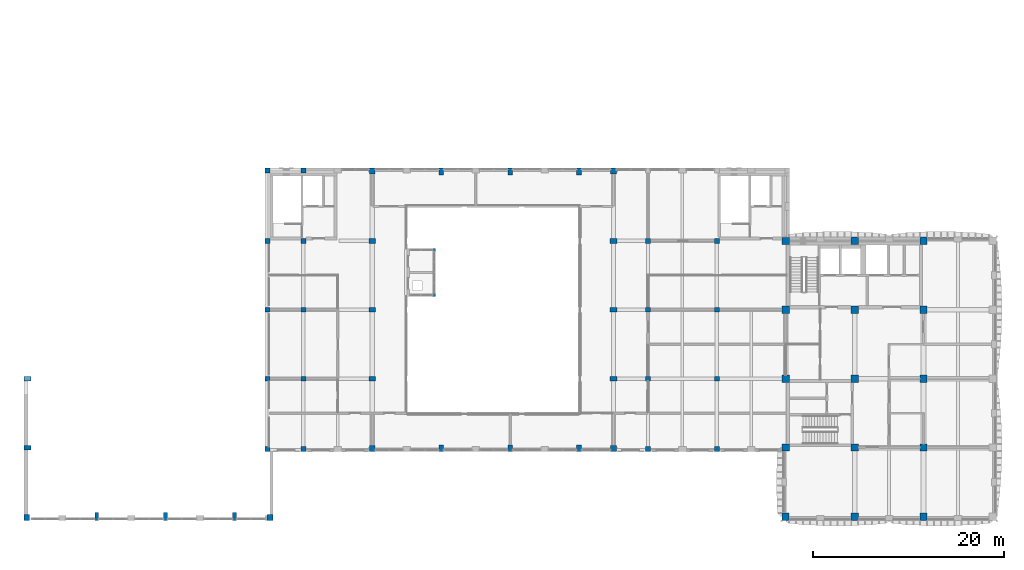
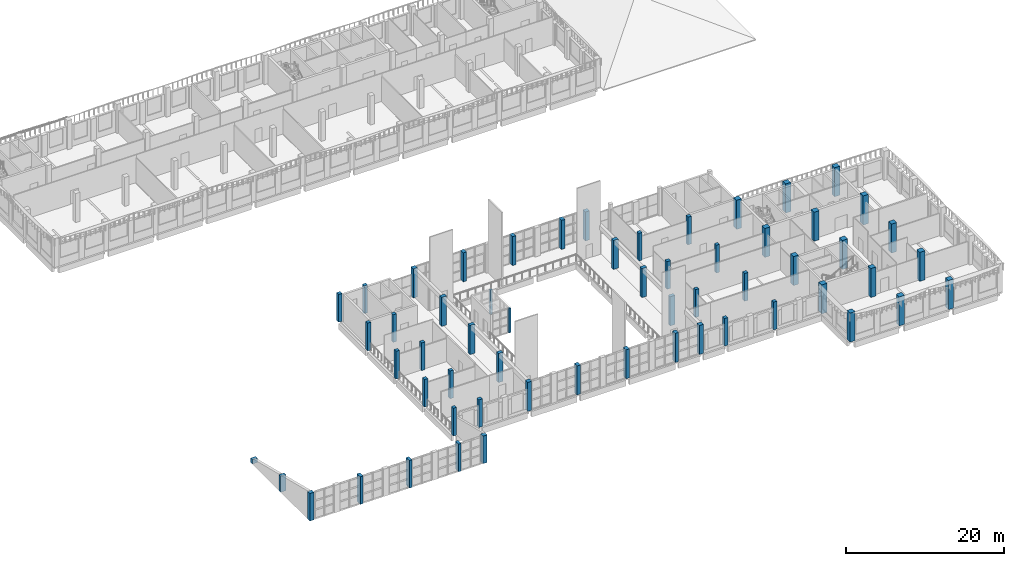
# One storey, part 1 of 54: 58 columns.
"""IFC4 building model written with IfcOpenShell, lengths in metres."""

from ifc_helpers import new_model, si_unit, direction, frame, origin, origin_2d, place, context, subcontext, project, spatial, rectangle, extrude, material, material_profile, profile_set, type_object, element, save


model = new_model("IFC4")

# Units and contexts
model_context = context("Model", 3, precision=1e-05, world=origin(), true_north=direction((0.0, 1.0)))
body_context = subcontext(model_context, "Body", "Model", "MODEL_VIEW")
ifc_project = project(units=[si_unit("LENGTHUNIT", "METRE"), si_unit("AREAUNIT", "SQUARE_METRE"), si_unit("VOLUMEUNIT", "CUBIC_METRE"), si_unit("PLANEANGLEUNIT", "RADIAN"), si_unit("MASSUNIT", "GRAM", prefix="KILO")], contexts=[model_context])

# Site, building, storey
site_placement = place(None, origin())
site = spatial("IfcSite", under=ifc_project, at=site_placement, CompositionType="ELEMENT")
building_placement = place(site_placement, origin())
building = spatial("IfcBuilding", under=site, at=building_placement, Name="Ussher Court Research Institute", CompositionType="ELEMENT")
storey_placement = place(building_placement, frame((0.0, 0.0, 14.39990234375)))
storey = spatial("IfcBuildingStorey", under=building, at=storey_placement, Name="L03", CompositionType="ELEMENT", Elevation=14.39990234375)

# Columns
ifc_material_1 = material(Name="Concrete C35/45", Category="concrete")
ifc_material_profile_1 = material_profile(ifc_material_1, rectangle(XDim=0.300048828125, YDim=0.300048828125, at=origin_2d()), Name="RC 300x300")
ifc_profile_set_1 = profile_set([ifc_material_profile_1], Name="Concrete C35/45")
column_type_1 = type_object("IfcColumnType", Name="Lift shaft corner column 300x300 RC", PredefinedType="COLUMN", material=ifc_profile_set_1)
for number, where, z_axis, x_axis, name in (
    (1, (45.449951171875, 27.14990234375, 0.0), (0.0, 0.0, 1.0), (1.0, 0.0, 0.0), "Lift shaft column atrium L03"),
    (2, (45.449951171875, 31.85009765625, 0.0), (0.0, 0.0, 1.0), (1.0, 0.0, 0.0), "Lift shaft column atrium L03"),
):
    element("IfcColumn", number, at=place(storey_placement, frame(where, z_axis=z_axis, x_axis=x_axis)), inside=storey, type_object=column_type_1, Name=name, PredefinedType="COLUMN", context=body_context, shape_type="SweptSolid", body=[
        extrude(rectangle(XDim=0.300048828125, YDim=0.300048828125, at=origin_2d()), origin(), (0.0, 0.0, 1.0), 3.800048828125),
    ])
ifc_material_2 = material(Name="Concrete C35/45", Category="concrete")
ifc_material_profile_2 = material_profile(ifc_material_2, rectangle(XDim=0.39990234375, YDim=0.800048828125, at=origin_2d()), Name="RC 400x800")
ifc_profile_set_2 = profile_set([ifc_material_profile_2], Name="Concrete C35/45")
column_type_2 = type_object("IfcColumnType", Name="RC 400x800 column", PredefinedType="COLUMN", material=ifc_profile_set_2)
for number, where, z_axis, x_axis, name in (
    (3, (10.199951171875, 4.0, 0.0), (0.0, 0.0, 1.0), (1.0, 0.0, 0.0), "CF1 V1 L03-01"),
    (4, (17.39990234375, 4.0, 0.0), (0.0, 0.0, 1.0), (1.0, 0.0, 0.0), "CF1 V1 L03-02"),
    (5, (24.60009765625, 4.0, 0.0), (0.0, 0.0, 1.0), (1.0, 0.0, 0.0), "CF1 V1 L03-03"),
):
    element("IfcColumn", number, at=place(storey_placement, frame(where, z_axis=z_axis, x_axis=x_axis)), inside=storey, type_object=column_type_2, Name=name, PredefinedType="COLUMN", context=body_context, shape_type="SweptSolid", body=[
        extrude(rectangle(XDim=0.39990234375, YDim=0.800048828125, at=origin_2d()), origin(), (0.0, 0.0, 1.0), 4.2802734375),
    ])
ifc_material_3 = material(Name="Concrete C35/45", Category="concrete")
ifc_material_profile_3 = material_profile(ifc_material_3, rectangle(XDim=0.5, YDim=0.5, at=origin_2d()), Name="RC 500x500")
ifc_profile_set_3 = profile_set([ifc_material_profile_3], Name="Concrete C35/45")
column_type_3 = type_object("IfcColumnType", Name="RC 500x500 column", PredefinedType="COLUMN", material=ifc_profile_set_3)
for number, where, z_axis, x_axis, name in (
    (6, (28.050048828125, 11.050048828125, 0.0), (0.0, 0.0, 1.0), (1.0, 0.0, 0.0), "C5 V7 L03-01"),
    (7, (28.050048828125, 18.39990234375, 0.0), (0.0, 0.0, 1.0), (1.0, 0.0, 0.0), "C5 V7 L03-02"),
    (8, (28.050048828125, 25.60009765625, 0.0), (0.0, 0.0, 1.0), (1.0, 0.0, 0.0), "C5 V7 L03-03"),
    (9, (28.050048828125, 32.800048828125, 0.0), (0.0, 0.0, 1.0), (1.0, 0.0, 0.0), "C5 V7 L03-04"),
    (10, (28.050048828125, 40.14990234375, 0.0), (0.0, 0.0, 1.0), (1.0, 0.0, 0.0), "C5 V7 L03-05"),
    (11, (31.800048828125, 11.050048828125, 0.0), (0.0, 0.0, 1.0), (1.0, 0.0, 0.0), "C5 V7 L03-06"),
    (12, (31.800048828125, 18.39990234375, 0.0), (0.0, 0.0, 1.0), (1.0, 0.0, 0.0), "C5 V7 L03-07"),
    (13, (31.800048828125, 25.60009765625, 0.0), (0.0, 0.0, 1.0), (1.0, 0.0, 0.0), "C5 V7 L03-08"),
    (14, (31.800048828125, 32.800048828125, 0.0), (0.0, 0.0, 1.0), (1.0, 0.0, 0.0), "C5 V7 L03-09"),
    (15, (31.800048828125, 40.14990234375, 0.0), (0.0, 0.0, 1.0), (1.0, 0.0, 0.0), "C5 V7 L03-10"),
    (16, (67.800048828125, 11.050048828125, 0.0), (0.0, 0.0, 1.0), (1.0, 0.0, 0.0), "C5 V7 L03-11"),
    (17, (67.800048828125, 18.39990234375, 0.0), (0.0, 0.0, 1.0), (1.0, 0.0, 0.0), "C5 V7 L03-12"),
    (18, (67.800048828125, 25.60009765625, 0.0), (0.0, 0.0, 1.0), (1.0, 0.0, 0.0), "C5 V7 L03-13"),
    (19, (67.800048828125, 32.800048828125, 0.0), (0.0, 0.0, 1.0), (1.0, 0.0, 0.0), "C5 V7 L03-14"),
    (20, (75.0, 11.050048828125, 0.0), (0.0, 0.0, 1.0), (1.0, 0.0, 0.0), "C5 V7 L03-16"),
    (21, (75.0, 18.39990234375, 0.0), (0.0, 0.0, 1.0), (1.0, 0.0, 0.0), "C5 V7 L03-17"),
    (22, (75.0, 25.60009765625, 0.0), (0.0, 0.0, 1.0), (1.0, 0.0, 0.0), "C5 V7 L03-18"),
    (23, (75.0, 32.800048828125, 0.0), (0.0, 0.0, 1.0), (1.0, 0.0, 0.0), "C5 V7 L03-19"),
):
    element("IfcColumn", number, at=place(storey_placement, frame(where, z_axis=z_axis, x_axis=x_axis)), inside=storey, type_object=column_type_3, Name=name, PredefinedType="COLUMN", context=body_context, shape_type="SweptSolid", body=[
        extrude(rectangle(XDim=0.5, YDim=0.5, at=origin_2d()), origin(), (0.0, 0.0, 1.0), 4.300048828125),
    ])
ifc_material_4 = material(Name="Concrete C35/45", Category="concrete")
ifc_material_profile_4 = material_profile(ifc_material_4, rectangle(XDim=0.5, YDim=0.699951171875, at=origin_2d()), Name="RC 500x700")
ifc_profile_set_4 = profile_set([ifc_material_profile_4], Name="Concrete C35/45")
column_type_4 = type_object("IfcColumnType", Name="RC 500x700 column", PredefinedType="COLUMN", material=ifc_profile_set_4)
for number, where, z_axis, x_axis, name in (
    (24, (46.199951171875, 11.14990234375, 0.0), (0.0, 0.0, 1.0), (1.0, 0.0, 0.0), "CF2 V2 L03-01"),
    (25, (46.199951171875, 40.050048828125, 0.0), (0.0, 0.0, 1.0), (1.0, 0.0, 0.0), "CF2 V2 L03-02"),
    (26, (53.39990234375, 11.14990234375, 0.0), (0.0, 0.0, 1.0), (1.0, 0.0, 0.0), "CF2 V2 L03-03"),
    (27, (53.39990234375, 40.050048828125, 0.0), (0.0, 0.0, 1.0), (1.0, 0.0, 0.0), "CF2 V2 L03-04"),
    (28, (60.60009765625, 11.14990234375, 0.0), (0.0, 0.0, 1.0), (1.0, 0.0, 0.0), "CF2 V2 L03-05"),
    (29, (60.60009765625, 40.050048828125, 0.0), (0.0, 0.0, 1.0), (1.0, 0.0, 0.0), "CF2 V2 L03-06"),
):
    element("IfcColumn", number, at=place(storey_placement, frame(where, z_axis=z_axis, x_axis=x_axis)), inside=storey, type_object=column_type_4, Name=name, PredefinedType="COLUMN", context=body_context, shape_type="SweptSolid", body=[
        extrude(rectangle(XDim=0.5, YDim=0.699951171875, at=origin_2d()), origin(), (0.0, 0.0, 1.0), 4.5),
    ])
ifc_material_5 = material(Name="Concrete C35/45", Category="concrete")
ifc_material_profile_5 = material_profile(ifc_material_5, rectangle(XDim=0.60009765625, YDim=0.60009765625, at=origin_2d()), Name="RC 600x600")
ifc_profile_set_5 = profile_set([ifc_material_profile_5], Name="Concrete C35/45")
column_type_5 = type_object("IfcColumnType", Name="RC 600x600 column", PredefinedType="COLUMN", material=ifc_profile_set_5)
for number, where, z_axis, x_axis, name in (
    (30, (39.0, 11.10009765625, 0.0), (0.0, 0.0, 1.0), (1.0, 0.0, 0.0), "C6 V2 L03-01"),
    (31, (39.0, 40.10009765625, 0.0), (0.0, 0.0, 1.0), (1.0, 0.0, 0.0), "C6 V2 L03-02"),
    (32, (64.199951171875, 11.10009765625, 0.0), (0.0, 0.0, 1.0), (1.0, 0.0, 0.0), "C6 V2 L03-03"),
    (33, (64.199951171875, 40.10009765625, 0.0), (0.0, 0.0, 1.0), (1.0, 0.0, 0.0), "C6 V2 L03-04"),
):
    element("IfcColumn", number, at=place(storey_placement, frame(where, z_axis=z_axis, x_axis=x_axis)), inside=storey, type_object=column_type_5, Name=name, PredefinedType="COLUMN", context=body_context, shape_type="SweptSolid", body=[
        extrude(rectangle(XDim=0.60009765625, YDim=0.60009765625, at=origin_2d()), origin(), (0.0, 0.0, 1.0), 4.5),
    ])
for number, where, z_axis, x_axis, name in (
    (34, (2.89990234375, 3.89990234375, 0.0), (0.0, 0.0, 1.0), (1.0, 0.0, 0.0), "C6 V1 L03-01"),
    (35, (28.300048828125, 3.89990234375, 0.0), (0.0, 0.0, 1.0), (1.0, 0.0, 0.0), "C6 V1 L03-02"),
):
    element("IfcColumn", number, at=place(storey_placement, frame(where, z_axis=z_axis, x_axis=x_axis)), inside=storey, type_object=column_type_5, Name=name, PredefinedType="COLUMN", context=body_context, shape_type="SweptSolid", body=[
        extrude(rectangle(XDim=0.60009765625, YDim=0.60009765625, at=origin_2d()), origin(), (0.0, 0.0, 1.0), 4.2802734375),
    ])
ifc_material_6 = material(Name="Concrete C35/45", Category="concrete")
ifc_material_profile_6 = material_profile(ifc_material_6, rectangle(XDim=0.699951171875, YDim=0.5, at=origin_2d()), Name="RC 700x500")
ifc_profile_set_6 = profile_set([ifc_material_profile_6], Name="Concrete C35/45")
column_type_6 = type_object("IfcColumnType", Name="RC 700x500 column", PredefinedType="COLUMN", material=ifc_profile_set_6)
for number, where, z_axis, x_axis, name in (
    (36, (39.0, 18.39990234375, 0.0), (0.0, 0.0, 1.0), (1.0, 0.0, 0.0), "CF3 V2 L03-01"),
    (37, (39.0, 25.60009765625, 0.0), (0.0, 0.0, 1.0), (1.0, 0.0, 0.0), "CF3 V2 L03-02"),
    (38, (39.0, 32.800048828125, 0.0), (0.0, 0.0, 1.0), (1.0, 0.0, 0.0), "CF3 V2 L03-03"),
    (39, (64.199951171875, 18.39990234375, 0.0), (0.0, 0.0, 1.0), (1.0, 0.0, 0.0), "CF3 V2 L03-04"),
    (40, (64.199951171875, 25.60009765625, 0.0), (0.0, 0.0, 1.0), (1.0, 0.0, 0.0), "CF3 V2 L03-05"),
    (41, (64.199951171875, 32.800048828125, 0.0), (0.0, 0.0, 1.0), (1.0, 0.0, 0.0), "CF3 V2 L03-06"),
):
    element("IfcColumn", number, at=place(storey_placement, frame(where, z_axis=z_axis, x_axis=x_axis)), inside=storey, type_object=column_type_6, Name=name, PredefinedType="COLUMN", context=body_context, shape_type="SweptSolid", body=[
        extrude(rectangle(XDim=0.699951171875, YDim=0.5, at=origin_2d()), origin(), (0.0, 0.0, 1.0), 4.5),
    ])
ifc_material_7 = material(Name="Concrete C35/45", Category="concrete")
ifc_material_profile_7 = material_profile(ifc_material_7, rectangle(XDim=0.75, YDim=0.449951171875, at=origin_2d()), Name="RC 750x450")
ifc_profile_set_7 = profile_set([ifc_material_profile_7], Name="Concrete C35/45")
column_type_7 = type_object("IfcColumnType", Name="RC 750x450 column", PredefinedType="COLUMN", material=ifc_profile_set_7)
column_1_placement = place(storey_placement, frame((2.97509765625, 11.199951171875, 0.0), z_axis=(0.0, 0.0, 1.0), x_axis=(1.0, 0.0, 0.0)))
element("IfcColumn", 42, at=column_1_placement, inside=storey, type_object=column_type_7, Name="CF4 V1 L03-01", PredefinedType="COLUMN", context=body_context, shape_type="SweptSolid", body=[
    extrude(rectangle(XDim=0.75, YDim=0.449951171875, at=origin_2d()), origin(), (0.0, 0.0, 1.0), 2.4775390625),
])
column_2_placement = place(storey_placement, frame((2.97509765625, 18.39990234375, 0.0), z_axis=(0.0, 0.0, 1.0), x_axis=(1.0, 0.0, 0.0)))
element("IfcColumn", 43, at=column_2_placement, inside=storey, type_object=column_type_7, Name="CF4 V1 L03-02", PredefinedType="COLUMN", context=body_context, shape_type="SweptSolid", body=[
    extrude(rectangle(XDim=0.75, YDim=0.449951171875, at=origin_2d()), origin(), (0.0, 0.0, 1.0), 0.677490234375),
])
ifc_material_8 = material(Name="Concrete C35/45", Category="concrete")
ifc_material_profile_8 = material_profile(ifc_material_8, rectangle(XDim=0.75, YDim=0.75, at=origin_2d()), Name="RC 750x750")
ifc_profile_set_8 = profile_set([ifc_material_profile_8], Name="Concrete C35/45")
column_type_8 = type_object("IfcColumnType", Name="RC 750x750 column", PredefinedType="COLUMN", material=ifc_profile_set_8)
for number, where, z_axis, x_axis, name in (
    (44, (82.175048828125, 3.97509765625, 0.0), (0.0, 0.0, 1.0), (1.0, 0.0, 0.0), "C75 V4 L03-01"),
    (45, (82.199951171875, 11.199951171875, 0.0), (0.0, 0.0, 1.0), (1.0, 0.0, 0.0), "C75 V4 L03-02"),
    (46, (82.199951171875, 18.39990234375, 0.0), (0.0, 0.0, 1.0), (1.0, 0.0, 0.0), "C75 V4 L03-03"),
    (47, (82.199951171875, 25.60009765625, 0.0), (0.0, 0.0, 1.0), (1.0, 0.0, 0.0), "C75 V4 L03-04"),
    (48, (82.199951171875, 32.800048828125, 0.0), (0.0, 0.0, 1.0), (1.0, 0.0, 0.0), "C75 V4 L03-05"),
    (49, (89.39990234375, 3.97509765625, 0.0), (0.0, 0.0, 1.0), (1.0, 0.0, 0.0), "C75 V4 L03-06"),
    (50, (89.39990234375, 11.199951171875, 0.0), (0.0, 0.0, 1.0), (1.0, 0.0, 0.0), "C75 V4 L03-07"),
    (51, (89.39990234375, 18.39990234375, 0.0), (0.0, 0.0, 1.0), (1.0, 0.0, 0.0), "C75 V4 L03-08"),
    (52, (89.39990234375, 25.60009765625, 0.0), (0.0, 0.0, 1.0), (1.0, 0.0, 0.0), "C75 V4 L03-09"),
    (53, (89.39990234375, 32.824951171875, 0.0), (0.0, 0.0, 1.0), (1.0, 0.0, 0.0), "C75 V4 L03-10"),
    (54, (96.60009765625, 3.97509765625, 0.0), (0.0, 0.0, 1.0), (1.0, 0.0, 0.0), "C75 V4 L03-11"),
    (55, (96.60009765625, 11.199951171875, 0.0), (0.0, 0.0, 1.0), (1.0, 0.0, 0.0), "C75 V4 L03-12"),
    (56, (96.60009765625, 18.39990234375, 0.0), (0.0, 0.0, 1.0), (1.0, 0.0, 0.0), "C75 V4 L03-13"),
    (57, (96.60009765625, 25.60009765625, 0.0), (0.0, 0.0, 1.0), (1.0, 0.0, 0.0), "C75 V4 L03-14"),
    (58, (96.60009765625, 32.824951171875, 0.0), (0.0, 0.0, 1.0), (1.0, 0.0, 0.0), "C75 V4 L03-15"),
):
    element("IfcColumn", number, at=place(storey_placement, frame(where, z_axis=z_axis, x_axis=x_axis)), inside=storey, type_object=column_type_8, Name=name, PredefinedType="COLUMN", context=body_context, shape_type="SweptSolid", body=[
        extrude(rectangle(XDim=0.75, YDim=0.75, at=origin_2d()), origin(), (0.0, 0.0, 1.0), 4.5),
    ])

save(model, "model.ifc")
